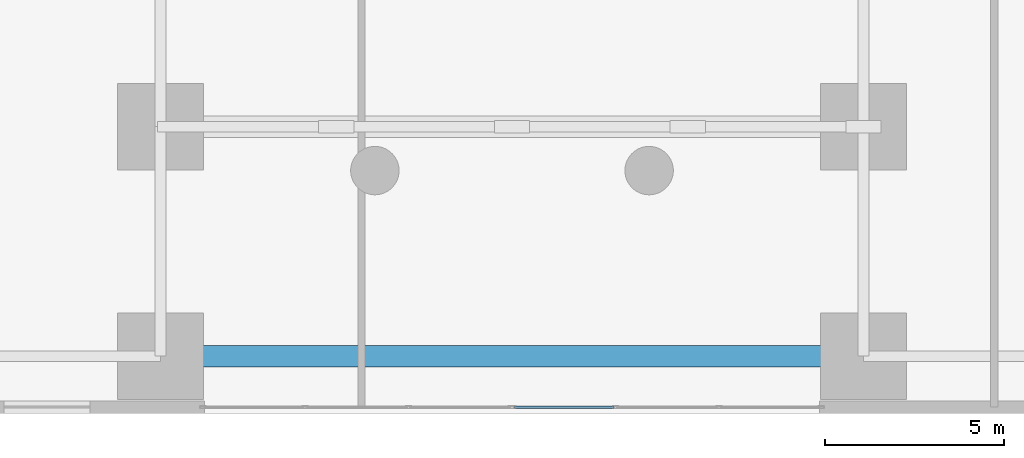
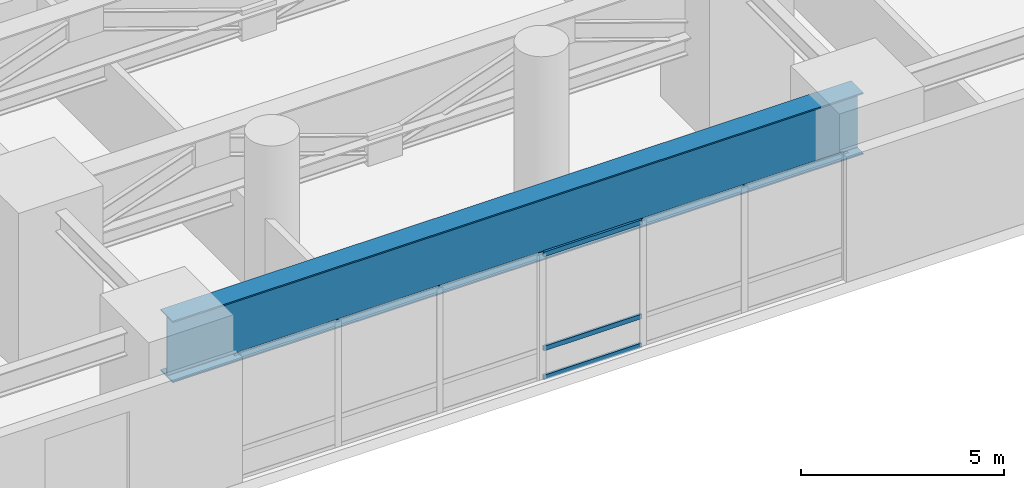
# One storey, part 5 of 17: 3 members, 1 beam, 1 element without a shape of its own.
"""IFC4 building model written with IfcOpenShell, lengths in metres."""

from ifc_helpers import new_model, si_unit, direction, frame, origin, origin_2d, place, context, subcontext, project, spatial, hollow_rectangle, i_section, extrude, material, layer, layer_set, material_profile, profile_set, type_object, element, aggregate, save


model = new_model("IFC4")

# Units and contexts
model_context = context("Model", 3, precision=1e-05, world=origin(), true_north=direction((0.0, 1.0)))
body_context = subcontext(model_context, "Body", "Model", "MODEL_VIEW")
ifc_project = project(units=[si_unit("LENGTHUNIT", "METRE"), si_unit("AREAUNIT", "SQUARE_METRE"), si_unit("VOLUMEUNIT", "CUBIC_METRE"), si_unit("PLANEANGLEUNIT", "RADIAN"), si_unit("MASSUNIT", "GRAM", prefix="KILO"), si_unit("THERMODYNAMICTEMPERATUREUNIT", "KELVIN"), si_unit("POWERUNIT", "WATT")], contexts=[model_context])

# Site, building, storey
site_placement = place(None, origin())
site = spatial("IfcSite", under=ifc_project, at=site_placement, CompositionType="ELEMENT")
building_placement = place(site_placement, origin())
building = spatial("IfcBuilding", under=site, at=building_placement, Name="Ocrelia Relay Tower", CompositionType="ELEMENT")
storey_placement = place(building_placement, frame((0.0, 0.0, 15.60009765625)))
storey = spatial("IfcBuildingStorey", under=building, at=storey_placement, Name="L03", CompositionType="ELEMENT", Elevation=15.60009765625)

# Beam
ifc_material_1 = material(Name="Steel S355", Category="steel")
ifc_material_profile_1 = material_profile(ifc_material_1, i_section(OverallWidth=0.60009765625, OverallDepth=1.85009765625, WebThickness=0.028076171875, FlangeThickness=0.0400390625, FilletRadius=0.02001953125, at=origin_2d()), Name="WPG 1850x600")
ifc_profile_set_1 = profile_set([ifc_material_profile_1], Name="Steel S355")
beam_type = type_object("IfcBeamType", Name="BM-WPG1650", PredefinedType="T_BEAM", material=ifc_profile_set_1)
beam_placement = place(storey_placement, frame((24.199951171875, 1.60009765625, 3.554931640625), z_axis=(1.0, 0.0, 0.0), x_axis=(0.0, 1.0, 0.0)))
element("IfcBeam", 1, at=beam_placement, inside=storey, type_object=beam_type, Name="L03 Portal Arch Span Transfer Girder G1", PredefinedType="T_BEAM", context=body_context, shape_type="SweptSolid", body=[
    extrude(i_section(OverallWidth=0.60009765625, OverallDepth=1.85009765625, WebThickness=0.028076171875, FlangeThickness=0.0400390625, FilletRadius=0.02001953125, at=origin_2d()), origin(), (0.0, 0.0, 1.0), 19.60009765625),
])

# Curtain wall, members
ifc_material_2 = material(Name="Aluminium and solar-control low-E glass", Category="aluminium")
ifc_layer = layer(ifc_material_2, 0.179931640625, Name="Aluminium and solar-control low-E glass")
ifc_layer_set = layer_set([ifc_layer], Name="Aluminium and solar-control low-E glass")
curtain_wall_type = type_object("IfcCurtainWallType", Name="CW-SYS-POD-GALL", PredefinedType="NOTDEFINED", material=ifc_layer_set)
curtain_wall_placement = place(storey_placement, origin())
curtain_wall = element("IfcCurtainWall", 2, at=curtain_wall_placement, inside=storey, type_object=curtain_wall_type, Name="L03 South Over-Arch Curtain Wall East", PredefinedType="NOTDEFINED")
ifc_material_3 = material(Name="Anodised bronze aluminium", Category="aluminium")
ifc_material_profile_2 = material_profile(ifc_material_3, hollow_rectangle(XDim=0.06494140625, YDim=0.139892578125, WallThickness=0.0048828125, at=origin_2d()), Name="CW-TRN-140x65")
ifc_profile_set_2 = profile_set([ifc_material_profile_2], Name="Anodised bronze aluminium")
member_type = type_object("IfcMemberType", Name="CW-SYS-POD-GALL-TRN", PredefinedType="USERDEFINED", material=ifc_profile_set_2)
member_1_placement = place(storey_placement, frame((34.070068359375, 0.179931640625, 0.032470703125), z_axis=(1.0, 0.0, 0.0), x_axis=(0.0, 1.0, 0.0)))
member_1 = element("IfcMember", 3, at=member_1_placement, type_object=member_type, Name="CW-PG transom 1.1", ObjectType="TRANSOM", PredefinedType="USERDEFINED", context=body_context, shape_type="SweptSolid", body=[
    extrude(hollow_rectangle(XDim=0.06494140625, YDim=0.139892578125, WallThickness=0.0048828125, at=origin_2d()), origin(), (0.0, 0.0, 1.0), 2.7783203125),
])
member_2_placement = place(storey_placement, frame((34.070068359375, 0.179931640625, 0.89990234375), z_axis=(1.0, 0.0, 0.0), x_axis=(0.0, 1.0, 0.0)))
member_2 = element("IfcMember", 4, at=member_2_placement, type_object=member_type, Name="CW-PG transom 1.2", ObjectType="TRANSOM", PredefinedType="USERDEFINED", context=body_context, shape_type="SweptSolid", body=[
    extrude(hollow_rectangle(XDim=0.06494140625, YDim=0.139892578125, WallThickness=0.0048828125, at=origin_2d()), origin(), (0.0, 0.0, 1.0), 2.7783203125),
])
member_3_placement = place(storey_placement, frame((34.070068359375, 0.179931640625, 3.727294921875), z_axis=(1.0, 0.0, 0.0), x_axis=(0.0, 1.0, 0.0)))
member_3 = element("IfcMember", 5, at=member_3_placement, type_object=member_type, Name="CW-PG transom 1.3", ObjectType="TRANSOM", PredefinedType="USERDEFINED", context=body_context, shape_type="SweptSolid", body=[
    extrude(hollow_rectangle(XDim=0.06494140625, YDim=0.139892578125, WallThickness=0.0048828125, at=origin_2d()), origin(), (0.0, 0.0, 1.0), 2.7783203125),
])
aggregate(curtain_wall, [member_1, member_2, member_3])

save(model, "model.ifc")
